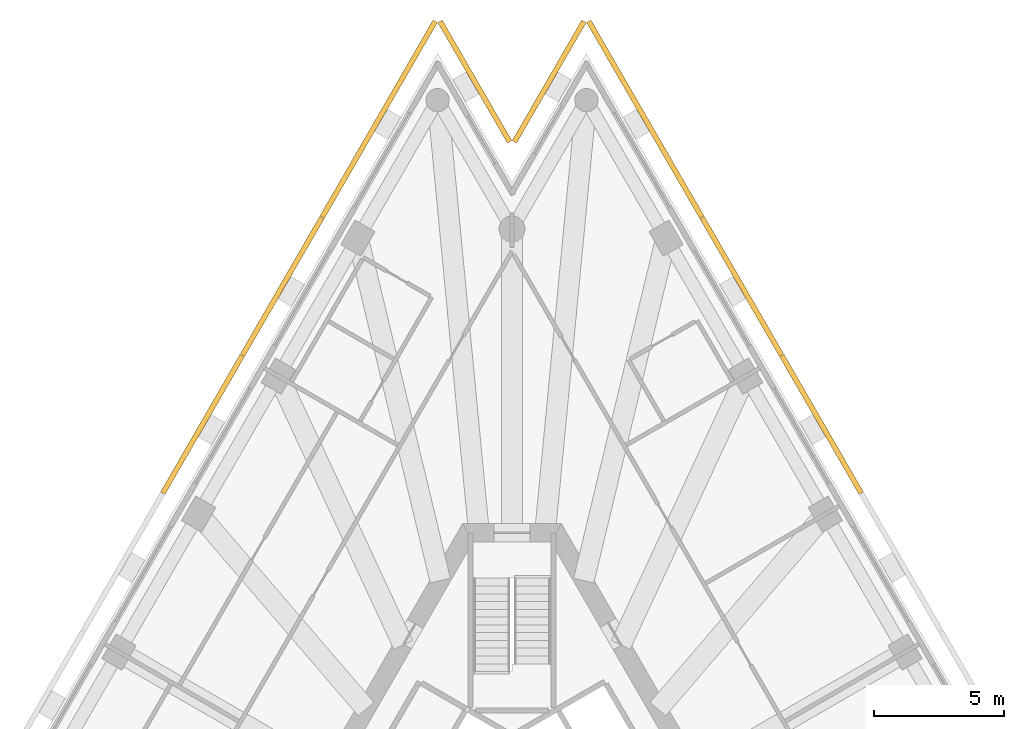
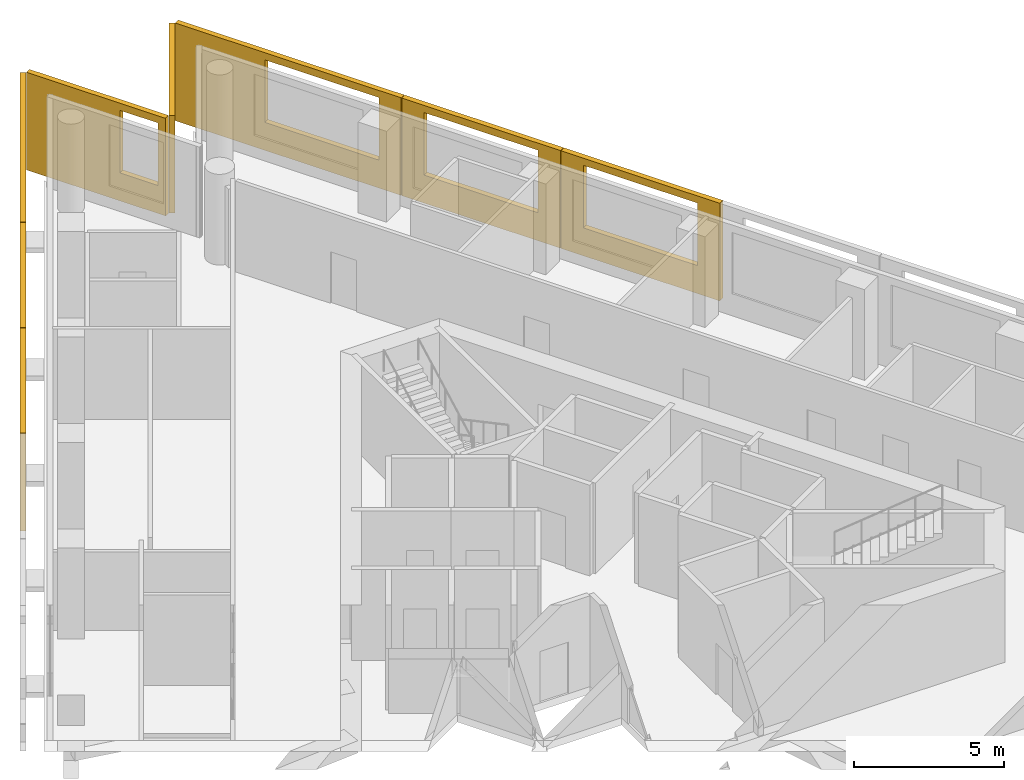
# One storey, part 9 of 9: 8 shading devices.
"""IFC4 building model written with IfcOpenShell, lengths in metres."""

import ifcopenshell
import ifcopenshell.guid

model = None  # the IFC model being written
_history = None  # IfcOwnerHistory: only IFC2X3 demands one
_inside = {}  # id of a spatial element -> (the spatial element, [elements in it])
_under = {}  # id of a project, library or spatial element -> (it, [spatial elements below it])
_declared = {}  # id of a project -> (the project, [libraries it declares])
_typed = {}  # id of a type object -> (the type object, [elements of that type])
_made_of = {}  # id of a material, layer set ... -> (it, [elements and type objects made of it])


def new_model(schema):
    """Start an empty IFC model of exactly this schema.

    Asked for "IFC4X3", IfcOpenShell would pick the latest addendum, in which some entities
    have other attributes; the version numbers below select the first issue.
    IFC2X3 requires an IfcOwnerHistory on every rooted entity: one is made here for all.
    """
    global model, _history
    if schema == "IFC4X3":
        model = ifcopenshell.file(schema_version=(4, 3, 0, 0))
    else:
        model = ifcopenshell.file(schema=schema)
    _inside.clear()
    _under.clear()
    _declared.clear()
    _typed.clear()
    _made_of.clear()
    _history = None
    if model.schema == "IFC2X3":
        org = make("IfcOrganization", Name="unknown")
        user = make(
            "IfcPersonAndOrganization",
            ThePerson=make("IfcPerson", FamilyName="unknown"),
            TheOrganization=org,
        )
        app = make(
            "IfcApplication",
            ApplicationDeveloper=org,
            Version="unknown",
            ApplicationFullName="unknown",
            ApplicationIdentifier="unknown",
        )
        _history = make(
            "IfcOwnerHistory",
            OwningUser=user,
            OwningApplication=app,
            ChangeAction="ADDED",
            CreationDate=0,
        )
    return model


def make(cls, **values):
    """One entity of the class cls with the attributes given. An attribute that is None is left unset."""
    return model.create_entity(
        cls, **{name: value for name, value in values.items() if value is not None}
    )


def rooted(cls, **values):
    """An entity with a GlobalId (a new one), such as an element, a storey or a relation."""
    return make(cls, GlobalId=ifcopenshell.guid.new(), OwnerHistory=_history, **values)


def si_unit(unit_type, name, prefix=None):
    """IfcSIUnit, for example si_unit("LENGTHUNIT", "METRE", prefix="MILLI")."""
    return make("IfcSIUnit", UnitType=unit_type, Prefix=prefix, Name=name)


def assignment(units):
    """IfcUnitAssignment: the units of a project."""
    return None if units is None else make("IfcUnitAssignment", Units=units)


def point(xyz):
    """IfcCartesianPoint."""
    return None if xyz is None else make("IfcCartesianPoint", Coordinates=xyz)


def direction(xyz):
    """IfcDirection."""
    return None if xyz is None else make("IfcDirection", DirectionRatios=xyz)


def frame(location, z_axis=None, x_axis=None):
    """IfcAxis2Placement3D, a coordinate frame: its origin and axes. An axis left out is left unset."""
    return make(
        "IfcAxis2Placement3D",
        Location=point(location),
        Axis=direction(z_axis),
        RefDirection=direction(x_axis),
    )


def origin():
    """The frame at (0, 0, 0) with its axes left unset."""
    return frame((0.0, 0.0, 0.0))


def place(relative_to, where):
    """IfcLocalPlacement: puts the frame where relative to a parent placement (None: the world)."""
    return make(
        "IfcLocalPlacement", PlacementRelTo=relative_to, RelativePlacement=where
    )


def context(
    kind, dimensions, precision=None, world=None, true_north=None, identifier=None
):
    """IfcGeometricRepresentationContext, for example the 3D "Model" context."""
    return make(
        "IfcGeometricRepresentationContext",
        ContextIdentifier=identifier,
        ContextType=kind,
        CoordinateSpaceDimension=dimensions,
        Precision=precision,
        WorldCoordinateSystem=world,
        TrueNorth=true_north,
    )


def subcontext(parent, identifier, kind, view, scale=None):
    """IfcGeometricRepresentationSubContext, for example "Body" below "Model"."""
    return make(
        "IfcGeometricRepresentationSubContext",
        ContextIdentifier=identifier,
        ContextType=kind,
        ParentContext=parent,
        TargetScale=scale,
        TargetView=view,
    )


def project(units=None, contexts=None):
    """IfcProject with its units and contexts."""
    return rooted(
        "IfcProject",
        Name="project",
        RepresentationContexts=contexts,
        UnitsInContext=assignment(units),
    )


def spatial(cls, under=None, at=None, **own):
    """A site, building, storey or space (cls), placed at a placement, below another one or the project."""
    s = rooted(cls, ObjectPlacement=at, **own)
    if under is not None:
        _under.setdefault(under.id(), (under, []))[1].append(s)
    return s


def polyline(points):
    """IfcPolyline through the points."""
    return make("IfcPolyline", Points=[point(p) for p in points])


def outline(outer, holes=None, kind="AREA"):
    """IfcArbitraryClosedProfileDef: a profile drawn as a closed curve; with holes, ...WithVoids."""
    if holes is None:
        return make("IfcArbitraryClosedProfileDef", ProfileType=kind, OuterCurve=outer)
    return make(
        "IfcArbitraryProfileDefWithVoids",
        ProfileType=kind,
        OuterCurve=outer,
        InnerCurves=holes,
    )


def extrude(swept, where, along, depth):
    """IfcExtrudedAreaSolid: the profile swept, set in the frame where, extruded along a direction by depth."""
    return make(
        "IfcExtrudedAreaSolid",
        SweptArea=swept,
        Position=where,
        ExtrudedDirection=direction(along),
        Depth=depth,
    )


def shape(context_of_items, identifier, shape_type, items):
    """IfcShapeRepresentation: the items that make up one representation, for example the "Body"."""
    return make(
        "IfcShapeRepresentation",
        ContextOfItems=context_of_items,
        RepresentationIdentifier=identifier,
        RepresentationType=shape_type,
        Items=items,
    )


def material(Name=None, Category=None):
    """IfcMaterial."""
    return make("IfcMaterial", Name=Name, Category=Category)


def layer(
    of_material, thickness, ventilated=None, Name=None, Category=None, Priority=None
):
    """IfcMaterialLayer: one layer of a wall or slab, of a material (None: an air gap)."""
    return make(
        "IfcMaterialLayer",
        Material=of_material,
        LayerThickness=thickness,
        IsVentilated=ventilated,
        Name=Name,
        Category=Category,
        Priority=Priority,
    )


def layer_set(layers, Name=None):
    """IfcMaterialLayerSet."""
    return make("IfcMaterialLayerSet", MaterialLayers=layers, LayerSetName=Name)


def made_of(thing, what):
    """Note that an element or type object is made of a material, layer set ...; save() writes the relation."""
    if what is not None:
        _made_of.setdefault(what.id(), (what, []))[1].append(thing)
    return thing


def type_object(cls, material=None, **own):
    """A type object (cls), such as IfcWallType, which elements share."""
    return made_of(rooted(cls, **own), material)


def element(
    cls,
    number,
    at=None,
    inside=None,
    cuts=None,
    type_object=None,
    material=None,
    context=None,
    identifier="Body",
    shape_type=None,
    held_by="IfcProductDefinitionShape",
    body=None,
    shapes=None,
    **own,
):
    """One element of the class cls, such as IfcWall. Its Tag is "e" and its number.

    at: its placement. inside: the storey or other place that contains it. cuts: it is an
    opening in that element (IfcRelVoidsElement). A single representation is given by context,
    identifier, shape_type and body (its items); several are given by shapes. held_by: the class
    of the entity that holds the representations. save() writes the other relations.
    """
    e = rooted(cls, Tag="e%d" % number, ObjectPlacement=at, **own)
    if body is not None:
        shapes = [shape(context, identifier, shape_type, body)]
    if shapes is not None:
        e.Representation = make(held_by, Representations=shapes)
    if inside is not None:
        _inside.setdefault(inside.id(), (inside, []))[1].append(e)
    if cuts is not None:
        rooted(
            "IfcRelVoidsElement", RelatingBuildingElement=cuts, RelatedOpeningElement=e
        )
    if type_object is not None:
        _typed.setdefault(type_object.id(), (type_object, []))[1].append(e)
    return made_of(e, material)


def aggregate(whole, parts):
    """IfcRelAggregates: a whole, such as a stair, and the parts it consists of."""
    return rooted("IfcRelAggregates", RelatingObject=whole, RelatedObjects=parts)


def save(model, path):
    """Write the relations noted so far, then the file.

    IfcRelAggregates (storeys below a building ...), IfcRelContainedInSpatialStructure (elements
    in a storey), IfcRelDefinesByType, IfcRelAssociatesMaterial and IfcRelDeclares: one each for
    every whole, place, type object, material and project.
    """
    for whole, parts in _under.values():
        aggregate(whole, parts)
    for where, things in _inside.values():
        rooted(
            "IfcRelContainedInSpatialStructure",
            RelatedElements=things,
            RelatingStructure=where,
        )
    for kind, things in _typed.values():
        rooted("IfcRelDefinesByType", RelatedObjects=things, RelatingType=kind)
    for what, things in _made_of.values():
        rooted("IfcRelAssociatesMaterial", RelatedObjects=things, RelatingMaterial=what)
    for by, libraries in _declared.values():
        rooted("IfcRelDeclares", RelatingContext=by, RelatedDefinitions=libraries)
    model.write(path)


model = new_model("IFC4")

# Units and contexts
model_context = context("Model", 3, precision=1e-05, world=origin(), true_north=direction((0.0, 1.0)))
body_context = subcontext(model_context, "Body", "Model", "MODEL_VIEW")
ifc_project = project(units=[si_unit("LENGTHUNIT", "METRE"), si_unit("AREAUNIT", "SQUARE_METRE"), si_unit("VOLUMEUNIT", "CUBIC_METRE"), si_unit("PLANEANGLEUNIT", "RADIAN"), si_unit("MASSUNIT", "GRAM", prefix="KILO")], contexts=[model_context])

# Site, building, storey
site_placement = place(None, origin())
site = spatial("IfcSite", under=ifc_project, at=site_placement, CompositionType="ELEMENT")
building_placement = place(site_placement, origin())
building = spatial("IfcBuilding", under=site, at=building_placement, Name="Triada Interchange Tower", CompositionType="ELEMENT")
storey_placement = place(building_placement, frame((0.0, 0.0, 211.300048828125)))
storey = spatial("IfcBuildingStorey", under=building, at=storey_placement, Name="L49", CompositionType="ELEMENT", Elevation=211.300048828125)

# Shading devices
ifc_material = material(Name="Concrete C50/60 precast", Category="concrete")
ifc_layer_1 = layer(ifc_material, 0.02001953125, Name="Exposed aggregate face")
ifc_layer_2 = layer(ifc_material, 0.179931640625, Name="Precast concrete screen")
ifc_layer_set = layer_set([ifc_layer_1, ifc_layer_2], Name="Outer skin screen panel 3980")
shading_device_type = type_object("IfcShadingDeviceType", Name="Outer skin screen panel 3980", PredefinedType="SHUTTER", material=ifc_layer_set)
shading_device_1_placement = place(storey_placement, frame((-2.8740234375, 33.02587890625, -0.2900390625), z_axis=(0.0, 0.0, 1.0), x_axis=(-0.500031800419, -0.866007043025, 0.0)))
element("IfcShadingDevice", 1, at=shading_device_1_placement, inside=storey, type_object=shading_device_type, Name="Outer skin screen panel L49 01", PredefinedType="SHUTTER", context=body_context, shape_type="SweptSolid", body=[
    extrude(outline(polyline([(0.0, 0.0), (8.7216796875, 0.0), (8.7216796875, 3.97998046875), (0.0, 3.97998046875), (0.0, 0.0)]), holes=[polyline([(3.460693359375, 1.139892578125), (3.460693359375, 3.68994140625), (7.860595703125, 3.68994140625), (7.860595703125, 1.139892578125), (3.460693359375, 1.139892578125)])]), frame((0.0, 0.0, 0.0), z_axis=(0.0, -1.0, 0.0), x_axis=(1.0, 0.0, 0.0)), (0.0, 0.0, 1.0), 0.199951171875),
])
shading_device_2_placement = place(storey_placement, frame((-7.2451171875, 25.455078125, -0.2900390625), z_axis=(0.0, 0.0, 1.0), x_axis=(-0.500011207537, -0.866018933013, 0.0)))
element("IfcShadingDevice", 2, at=shading_device_2_placement, inside=storey, type_object=shading_device_type, Name="Outer skin screen panel L49 02", PredefinedType="SHUTTER", context=body_context, shape_type="SweptSolid", body=[
    extrude(outline(polyline([(0.0, 0.0), (6.123291015625, 0.0), (6.123291015625, 3.97998046875), (0.0, 3.97998046875), (0.0, 0.0)]), holes=[polyline([(0.8623046875, 1.139892578125), (0.8623046875, 3.68994140625), (5.26220703125, 3.68994140625), (5.26220703125, 1.139892578125), (0.8623046875, 1.139892578125)])]), frame((0.0, 0.0, 0.0), z_axis=(0.0, -1.0, 0.0), x_axis=(1.0, 0.0, 0.0)), (0.0, 0.0, 1.0), 0.199951171875),
])
for number, where, z_axis, x_axis, name in (
    (3, (-10.31689453125, 20.134033203125, -0.2900390625), (0.0, 0.0, 1.0), (-0.500041108788, -0.866001668314, 0.0), "Outer skin screen panel L49 03"),
    (4, (13.37890625, 14.8310546875, -0.2900390625), (0.0, 0.0, 1.0), (-0.500041108788, 0.866001668314, 0.0), "Outer skin screen panel L49 26"),
):
    element("IfcShadingDevice", number, at=place(storey_placement, frame(where, z_axis=z_axis, x_axis=x_axis)), inside=storey, type_object=shading_device_type, Name=name, PredefinedType="SHUTTER", context=body_context, shape_type="SweptSolid", body=[
        extrude(outline(polyline([(0.0, 0.0), (6.12353515625, 0.0), (6.12353515625, 3.97998046875), (0.0, 3.97998046875), (0.0, 0.0)]), holes=[polyline([(0.8623046875, 1.139892578125), (0.8623046875, 3.68994140625), (5.26220703125, 3.68994140625), (5.26220703125, 1.139892578125), (0.8623046875, 1.139892578125)])]), frame((0.0, 0.0, 0.0), z_axis=(0.0, -1.0, 0.0), x_axis=(1.0, 0.0, 0.0)), (0.0, 0.0, 1.0), 0.199951171875),
    ])
shading_device_3_placement = place(storey_placement, frame((10.306884765625, 20.152099609375, -0.2900390625), z_axis=(0.0, 0.0, 1.0), x_axis=(-0.500011207537, 0.866018933013, 0.0)))
element("IfcShadingDevice", 5, at=shading_device_3_placement, inside=storey, type_object=shading_device_type, Name="Outer skin screen panel L49 27", PredefinedType="SHUTTER", context=body_context, shape_type="SweptSolid", body=[
    extrude(outline(polyline([(0.0, 0.0), (6.123291015625, 0.0), (6.123291015625, 3.97998046875), (0.0, 3.97998046875), (0.0, 0.0)]), holes=[polyline([(0.862060546875, 1.139892578125), (0.862060546875, 3.68994140625), (5.26220703125, 3.68994140625), (5.26220703125, 1.139892578125), (0.862060546875, 1.139892578125)])]), frame((0.0, 0.0, 0.0), z_axis=(0.0, -1.0, 0.0), x_axis=(1.0, 0.0, 0.0)), (0.0, 0.0, 1.0), 0.199951171875),
])
shading_device_4_placement = place(storey_placement, frame((7.235107421875, 25.472900390625, -0.2900390625), z_axis=(0.0, 0.0, 1.0), x_axis=(-0.500031800419, 0.866007043025, 0.0)))
element("IfcShadingDevice", 6, at=shading_device_4_placement, inside=storey, type_object=shading_device_type, Name="Outer skin screen panel L49 28", PredefinedType="SHUTTER", context=body_context, shape_type="SweptSolid", body=[
    extrude(outline(polyline([(0.0, 0.0), (8.7216796875, 0.0), (8.7216796875, 3.97998046875), (0.0, 3.97998046875), (0.0, 0.0)]), holes=[polyline([(0.86181640625, 1.139892578125), (0.86181640625, 3.68994140625), (5.261962890625, 3.68994140625), (5.261962890625, 1.139892578125), (0.86181640625, 1.139892578125)])]), frame((0.0, 0.0, 0.0), z_axis=(0.0, -1.0, 0.0), x_axis=(1.0, 0.0, 0.0)), (0.0, 0.0, 1.0), 0.199951171875),
])
shading_device_5_placement = place(storey_placement, frame((2.864013671875, 33.02587890625, -0.2900390625), z_axis=(0.0, 0.0, 1.0), x_axis=(-0.500197305346, -0.865911459518, 0.0)))
element("IfcShadingDevice", 7, at=shading_device_5_placement, inside=storey, type_object=shading_device_type, Name="Outer skin screen panel L49 29", PredefinedType="SHUTTER", context=body_context, shape_type="SweptSolid", body=[
    extrude(outline(polyline([(0.0, 0.0), (5.369873046875, 0.0), (5.369873046875, 3.97998046875), (0.0, 3.97998046875), (0.0, 0.0)]), holes=[polyline([(3.175537109375, 1.139892578125), (3.175537109375, 3.68994140625), (5.070556640625, 3.68994140625), (5.070556640625, 1.139892578125), (3.175537109375, 1.139892578125)])]), frame((0.0, 0.0, 0.0), z_axis=(0.0, -1.0, 0.0), x_axis=(1.0, 0.0, 0.0)), (0.0, 0.0, 1.0), 0.199951171875),
])
shading_device_6_placement = place(storey_placement, frame((-0.177978515625, 28.3759765625, -0.2900390625), z_axis=(0.0, 0.0, 1.0), x_axis=(-0.500197305346, 0.865911459518, 0.0)))
element("IfcShadingDevice", 8, at=shading_device_6_placement, inside=storey, type_object=shading_device_type, Name="Outer skin screen panel L49 30", PredefinedType="SHUTTER", context=body_context, shape_type="SweptSolid", body=[
    extrude(outline(polyline([(0.0, 0.0), (5.369873046875, 0.0), (5.369873046875, 3.97998046875), (0.0, 3.97998046875), (0.0, 0.0)]), holes=[polyline([(0.300048828125, 1.139892578125), (0.300048828125, 3.68994140625), (1.758056640625, 3.68994140625), (1.758056640625, 1.139892578125), (0.300048828125, 1.139892578125)])]), frame((0.0, 0.0, 0.0), z_axis=(0.0, -1.0, 0.0), x_axis=(1.0, 0.0, 0.0)), (0.0, 0.0, 1.0), 0.199951171875),
])

save(model, "model.ifc")
